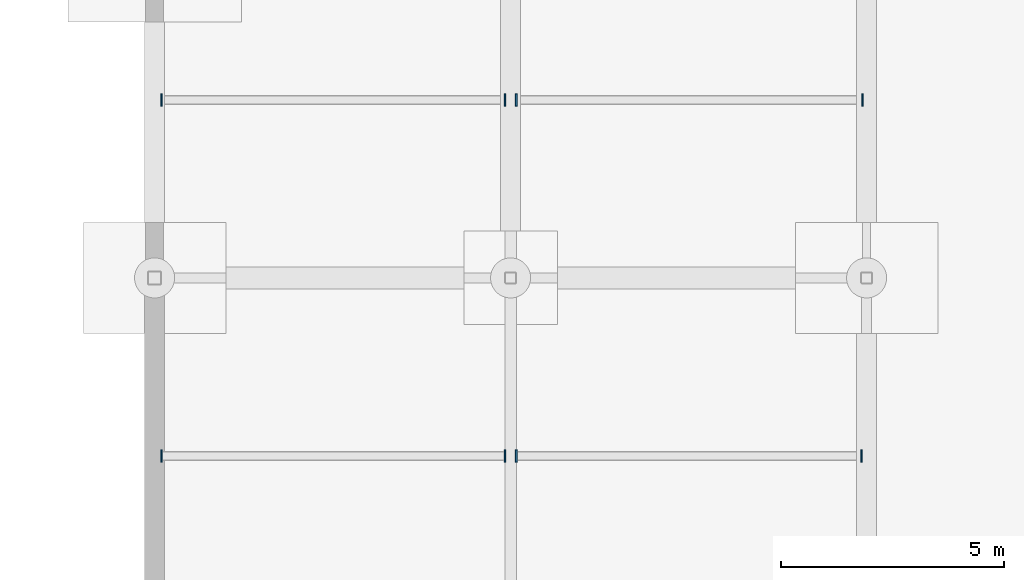
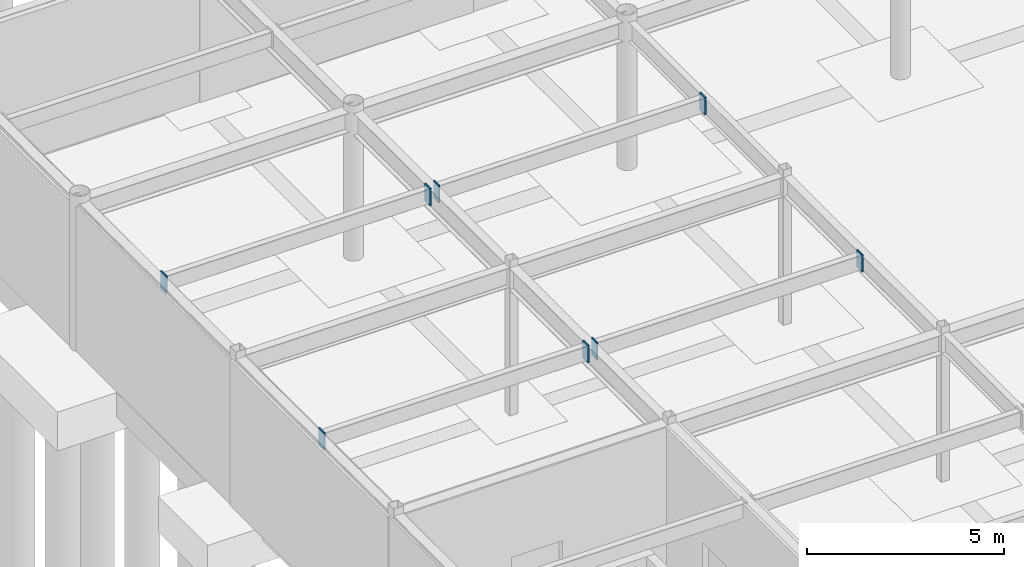
# One storey, part 64 of 105: 8 discrete accessories.
"""IFC4 building model written with IfcOpenShell, lengths in metres."""

from ifc_helpers import new_model, si_unit, direction, frame, origin, origin_2d, place, context, subcontext, project, spatial, rectangle, extrude, material, layer, layer_set, type_object, element, save


model = new_model("IFC4")

# Units and contexts
model_context = context("Model", 3, precision=1e-05, world=origin(), true_north=direction((0.0, 1.0)))
body_context = subcontext(model_context, "Body", "Model", "MODEL_VIEW")
ifc_project = project(units=[si_unit("LENGTHUNIT", "METRE"), si_unit("AREAUNIT", "SQUARE_METRE"), si_unit("VOLUMEUNIT", "CUBIC_METRE"), si_unit("PLANEANGLEUNIT", "RADIAN"), si_unit("MASSUNIT", "GRAM", prefix="KILO")], contexts=[model_context])

# Site, building, storey
site_placement = place(None, origin())
site = spatial("IfcSite", under=ifc_project, at=site_placement, CompositionType="ELEMENT")
building_placement = place(site_placement, origin())
building = spatial("IfcBuilding", under=site, at=building_placement, Name="Solmirada Galleria", CompositionType="ELEMENT")
storey_placement = place(building_placement, frame((0.0, 0.0, -4.800048828125)))
storey = spatial("IfcBuildingStorey", under=building, at=storey_placement, Name="B1", CompositionType="ELEMENT", Elevation=-4.800048828125)

# Discrete accessories
ifc_material = material(Name="Steel S355 / ASTM A572 Grade 50", Category="steel")
ifc_layer = layer(ifc_material, 0.031982421875)
ifc_layer_set = layer_set([ifc_layer], Name="Steel S355 / ASTM A572 Grade 50")
discrete_accessory_type = type_object("IfcDiscreteAccessoryType", Name="ACC-COL-CAP", PredefinedType="BRACKET", material=ifc_layer_set)
for number, where, z_axis, x_axis, name in (
    (1, (40.152587890625, 20.0, 4.08154296875), (0.0, 0.0, 1.0), (1.0, 0.0, 0.0), "Hollow joist end plate L00-06-03-L"),
    (2, (47.8720703125, 20.0, 4.08154296875), (0.0, 0.0, 1.0), (1.0, 0.0, 0.0), "Hollow joist end plate L00-06-03-R"),
    (3, (40.152587890625, 28.0, 4.08154296875), (0.0, 0.0, 1.0), (1.0, 0.0, 0.0), "Hollow joist end plate L00-06-04-L"),
    (4, (47.8720703125, 28.0, 4.08154296875), (0.0, 0.0, 1.0), (1.0, 0.0, 0.0), "Hollow joist end plate L00-06-04-R"),
    (5, (48.1279296875, 20.0, 4.08154296875), (0.0, 0.0, 1.0), (1.0, 0.0, 0.0), "Hollow joist end plate L00-07-03-L"),
    (6, (55.885986328125, 20.0, 4.08154296875), (0.0, 0.0, 1.0), (1.0, 0.0, 0.0), "Hollow joist end plate L00-07-03-R"),
    (7, (48.1279296875, 28.0, 4.08154296875), (0.0, 0.0, 1.0), (1.0, 0.0, 0.0), "Hollow joist end plate L00-07-04-L"),
    (8, (55.910888671875, 28.0, 4.08154296875), (0.0, 0.0, 1.0), (1.0, 0.0, 0.0), "Hollow joist end plate L00-07-04-R"),
):
    element("IfcDiscreteAccessory", number, at=place(storey_placement, frame(where, z_axis=z_axis, x_axis=x_axis)), inside=storey, type_object=discrete_accessory_type, Name=name, PredefinedType="BRACKET", context=body_context, shape_type="SweptSolid", body=[
        extrude(rectangle(XDim=0.035888671875, YDim=0.280029296875, at=origin_2d()), origin(), (0.0, 0.0, 1.0), 0.5400390625),
    ])

save(model, "model.ifc")
